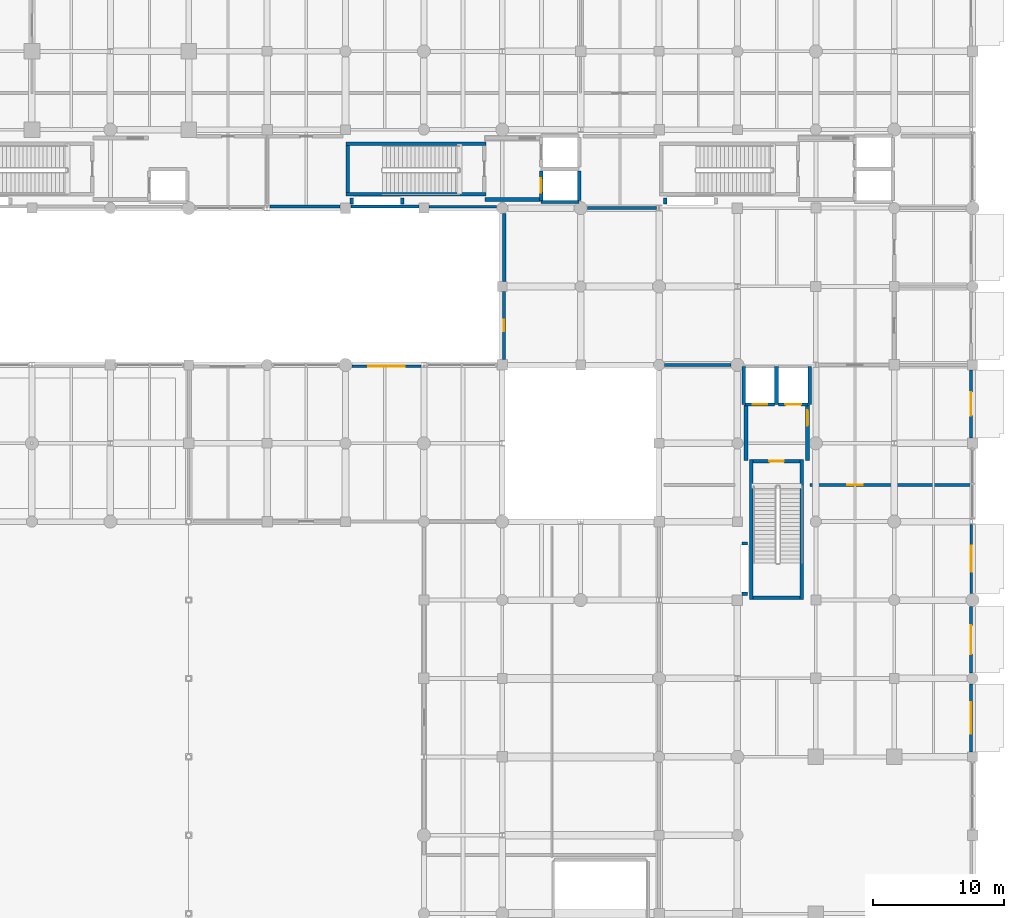
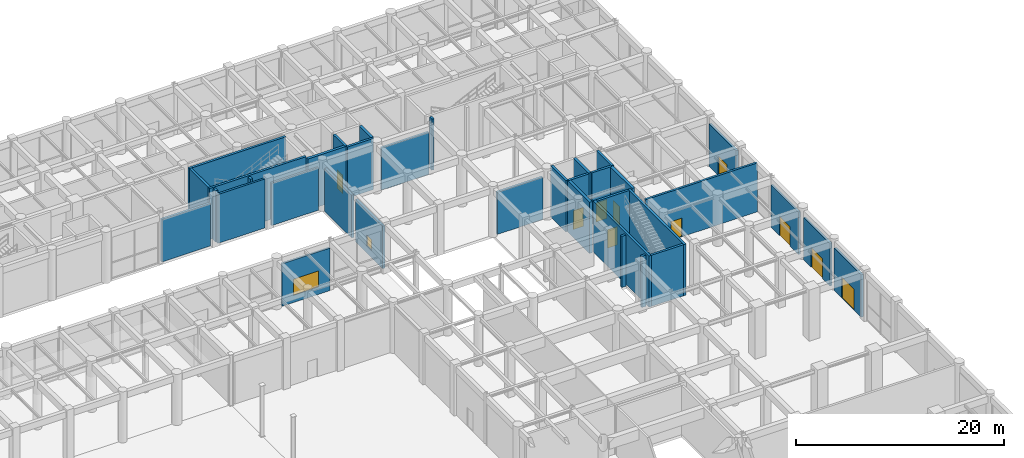
# One storey, part 89 of 106: 36 walls, 10 doors, 2 windows, 12 openings.
"""IFC4 building model written with IfcOpenShell, lengths in metres."""

from ifc_helpers import new_model, si_unit, direction, frame, frame_2d, origin, place, context, subcontext, project, spatial, rectangle, extrude, material, layer, layer_set, type_object, element, fill, save


model = new_model("IFC4")

# Units and contexts
model_context = context("Model", 3, precision=1e-05, world=origin(), true_north=direction((0.0, 1.0)))
body_context = subcontext(model_context, "Body", "Model", "MODEL_VIEW")
ifc_project = project(units=[si_unit("LENGTHUNIT", "METRE"), si_unit("AREAUNIT", "SQUARE_METRE"), si_unit("VOLUMEUNIT", "CUBIC_METRE"), si_unit("PLANEANGLEUNIT", "RADIAN"), si_unit("MASSUNIT", "GRAM", prefix="KILO"), si_unit("THERMODYNAMICTEMPERATUREUNIT", "KELVIN"), si_unit("POWERUNIT", "WATT")], contexts=[model_context])

# Site, building, storey
site_placement = place(None, origin())
site = spatial("IfcSite", under=ifc_project, at=site_placement, CompositionType="ELEMENT")
building_placement = place(site_placement, origin())
building = spatial("IfcBuilding", under=site, at=building_placement, Name="Phaisarnlok Congress Hotel", CompositionType="ELEMENT")
storey_placement = place(building_placement, origin())
storey = spatial("IfcBuildingStorey", under=building, at=storey_placement, Name="L00", CompositionType="ELEMENT", Elevation=0.0)

# Wall, opening, door
ifc_material_1 = material(Name="Concrete C40/50", Category="concrete")
ifc_layer_1 = layer(ifc_material_1, 0.2099609375, Name="Concrete C40/50")
ifc_layer_set_1 = layer_set([ifc_layer_1], Name="Concrete C40/50")
wall_type_1 = type_object("IfcWallType", Name="WL-EXT-210", PredefinedType="SOLIDWALL", material=ifc_layer_set_1)
wall_1_placement = place(storey_placement, frame((179.89501953125, 78.5048828125, 0.0), z_axis=(0.0, 0.0, 1.0), x_axis=(0.0, 1.0, 0.0)))
wall_1 = element("IfcWall", 1, at=wall_1_placement, inside=storey, type_object=wall_type_1, Name="Exterior wall EW-07 (L00)", PredefinedType="SOLIDWALL", context=body_context, shape_type="SweptSolid", body=[
    extrude(rectangle(XDim=5.29052734375, YDim=0.2099609375, at=frame_2d((2.645263671875, 0.0))), origin(), (0.0, 0.0, 1.0), 4.989990234375),
])
opening_1_placement = place(wall_1_placement, frame((1.64501953125, 0.0, 0.0)))
opening_1 = element("IfcOpeningElement", 2, at=opening_1_placement, cuts=wall_1, Name="Opening FE-26", PredefinedType="OPENING", context=body_context, shape_type="SweptSolid", body=[
    extrude(rectangle(XDim=2.0, YDim=2.300048828125, at=frame_2d((1.0, 1.14990234375))), frame((0.0, 0.114990234375, 0.0), z_axis=(0.0, -1.0, 0.0), x_axis=(1.0, 0.0, 0.0)), (0.0, 0.0, 1.0), 0.22998046875),
])
ifc_material_2 = material(Name="Powder-Coated Steel & Laminated Safety Glass", Category="steel")
door_type_1 = type_object("IfcDoorType", Name="DR-EXIT-2000", OperationType="DOUBLE_DOOR_SINGLE_SWING", PredefinedType="DOOR", material=ifc_material_2)
door_1_placement = place(opening_1_placement, frame((2.0, 0.0, 0.0), z_axis=(0.0, 0.0, 1.0), x_axis=(-1.0, 0.0, 0.0)))
door_1 = element("IfcDoor", 3, at=door_1_placement, inside=storey, type_object=door_type_1, Name="Ground final exit door FE-26", OperationType="SINGLE_SWING_LEFT", OverallHeight=2.300048828125, OverallWidth=2.0, PredefinedType="DOOR", context=body_context, shape_type="SweptSolid", body=[
    extrude(rectangle(XDim=2.0, YDim=2.300048828125, at=frame_2d((1.0, 1.14990234375))), frame((0.0, 0.02490234375, 0.0), z_axis=(0.0, -1.0, 0.0), x_axis=(1.0, 0.0, 0.0)), (0.0, 0.0, 1.0), 0.050048828125),
])
fill(opening_1, door_1)

# Wall
wall_2_placement = place(storey_placement, frame((138.3798828125, 108.10498046875, 0.0), z_axis=(0.0, 0.0, 1.0), x_axis=(1.0, 0.0, 0.0)))
element("IfcWall", 4, at=wall_2_placement, inside=storey, type_object=wall_type_1, Name="Exterior wall EW-07 (L00)", PredefinedType="SOLIDWALL", context=body_context, shape_type="SweptSolid", body=[
    extrude(rectangle(XDim=5.190185546875, YDim=0.2099609375, at=frame_2d((2.59521484375, 0.0))), origin(), (0.0, 0.0, 1.0), 4.989990234375),
])

# Wall, opening, window
wall_3_placement = place(storey_placement, frame((137.79443359375, 95.89501953125, 0.0), z_axis=(0.0, 0.0, 1.0), x_axis=(-1.0, 0.0, 0.0)))
wall_3 = element("IfcWall", 5, at=wall_3_placement, inside=storey, type_object=wall_type_1, Name="Exterior wall EW-07 (L00)", PredefinedType="SOLIDWALL", context=body_context, shape_type="SweptSolid", body=[
    extrude(rectangle(XDim=5.28955078125, YDim=0.2099609375, at=frame_2d((2.644775390625, 0.0))), origin(), (0.0, 0.0, 1.0), 4.989990234375),
])
opening_2_placement = place(wall_3_placement, frame((1.2451171875, 0.0, 0.85009765625)))
opening_2 = element("IfcOpeningElement", 6, at=opening_2_placement, cuts=wall_3, Name="Opening W-06", PredefinedType="OPENING", context=body_context, shape_type="SweptSolid", body=[
    extrude(rectangle(XDim=2.800048828125, YDim=1.89990234375, at=frame_2d((1.39990234375, 0.949951171875))), frame((0.0, 0.114990234375, 0.0), z_axis=(0.0, -1.0, 0.0), x_axis=(1.0, 0.0, 0.0)), (0.0, 0.0, 1.0), 0.22998046875),
])
ifc_material_3 = material(Name="Thermally Broken Aluminium & Low-E Double Glazing", Category="aluminium")
window_type_1 = type_object("IfcWindowType", Name="WIN-POD-2800", PartitioningType="SINGLE_PANEL", PredefinedType="WINDOW", material=ifc_material_3)
window_1_placement = place(opening_2_placement, origin())
window_1 = element("IfcWindow", 7, at=window_1_placement, inside=storey, type_object=window_type_1, Name="Podium window W-06 (L00)", OverallHeight=1.89990234375, OverallWidth=2.800048828125, PartitioningType="SINGLE_PANEL", PredefinedType="WINDOW", context=body_context, shape_type="SweptSolid", body=[
    extrude(rectangle(XDim=2.800048828125, YDim=1.89990234375, at=frame_2d((1.39990234375, 0.949951171875))), frame((0.0, 0.030029296875, 0.0), z_axis=(0.0, -1.0, 0.0), x_axis=(1.0, 0.0, 0.0)), (0.0, 0.0, 1.0), 0.06005859375),
])
fill(opening_2, window_1)

# Wall, opening, door
ifc_layer_2 = layer(ifc_material_1, 0.22998046875, Name="Concrete C40/50")
ifc_layer_set_2 = layer_set([ifc_layer_2], Name="Concrete C40/50")
wall_type_2 = type_object("IfcWallType", Name="WL-EXT-230", PredefinedType="SOLIDWALL", material=ifc_layer_set_2)
wall_4_placement = place(storey_placement, frame((179.885009765625, 72.429931640625, 0.0), z_axis=(0.0, 0.0, 1.0), x_axis=(0.0, 1.0, 0.0)))
wall_4 = element("IfcWall", 8, at=wall_4_placement, inside=storey, type_object=wall_type_2, Name="Exterior wall EW-06 (L00)", PredefinedType="SOLIDWALL", context=body_context, shape_type="SweptSolid", body=[
    extrude(rectangle(XDim=5.065185546875, YDim=0.22998046875, at=frame_2d((2.53271484375, 0.0))), origin(), (0.0, 0.0, 1.0), 4.989990234375),
])
opening_3_placement = place(wall_4_placement, frame((1.431884765625, 0.0, 0.0)))
opening_3 = element("IfcOpeningElement", 9, at=opening_3_placement, cuts=wall_4, Name="Opening FE-25", PredefinedType="OPENING", context=body_context, shape_type="SweptSolid", body=[
    extrude(rectangle(XDim=2.199951171875, YDim=2.35009765625, at=frame_2d((1.10009765625, 1.175048828125))), frame((0.0, 0.125, 0.0), z_axis=(0.0, -1.0, 0.0), x_axis=(1.0, 0.0, 0.0)), (0.0, 0.0, 1.0), 0.25),
])
door_type_2 = type_object("IfcDoorType", Name="DR-EXIT-2200", OperationType="DOUBLE_DOOR_SINGLE_SWING", PredefinedType="DOOR", material=ifc_material_2)
door_2_placement = place(opening_3_placement, frame((2.199951171875, 0.0, 0.0), z_axis=(0.0, 0.0, 1.0), x_axis=(-1.0, 0.0, 0.0)))
door_2 = element("IfcDoor", 10, at=door_2_placement, inside=storey, type_object=door_type_2, Name="Ground final exit door FE-25", OperationType="SINGLE_SWING_LEFT", OverallHeight=2.35009765625, OverallWidth=2.199951171875, PredefinedType="DOOR", context=body_context, shape_type="SweptSolid", body=[
    extrude(rectangle(XDim=2.199951171875, YDim=2.35009765625, at=frame_2d((1.10009765625, 1.175048828125))), frame((0.0, 0.02490234375, 0.0), z_axis=(0.0, -1.0, 0.0), x_axis=(1.0, 0.0, 0.0)), (0.0, 0.0, 1.0), 0.050048828125),
])
fill(opening_3, door_2)

# Wall
wall_5_placement = place(storey_placement, frame((132.405029296875, 108.114990234375, 0.0), z_axis=(0.0, 0.0, 1.0), x_axis=(1.0, 0.0, 0.0)))
element("IfcWall", 11, at=wall_5_placement, inside=storey, type_object=wall_type_2, Name="Exterior wall EW-06 (L00)", PredefinedType="SOLIDWALL", context=body_context, shape_type="SweptSolid", body=[
    extrude(rectangle(XDim=5.215087890625, YDim=0.22998046875, at=frame_2d((2.607421875, 0.0))), origin(), (0.0, 0.0, 1.0), 5.739990234375),
])

# Wall, opening, door
ifc_layer_3 = layer(ifc_material_1, 0.25, Name="Concrete C40/50")
ifc_layer_set_3 = layer_set([ifc_layer_3], Name="Concrete C40/50")
wall_type_3 = type_object("IfcWallType", Name="WL-EXT-250", PredefinedType="SOLIDWALL", material=ifc_layer_set_3)
wall_6_placement = place(storey_placement, frame((179.875, 66.3798828125, 0.0), z_axis=(0.0, 0.0, 1.0), x_axis=(0.0, 1.0, 0.0)))
wall_6 = element("IfcWall", 12, at=wall_6_placement, inside=storey, type_object=wall_type_3, Name="Exterior wall EW-05 (L00)", PredefinedType="SOLIDWALL", context=body_context, shape_type="SweptSolid", body=[
    extrude(rectangle(XDim=5.190185546875, YDim=0.25, at=frame_2d((2.59521484375, 0.0))), origin(), (0.0, 0.0, 1.0), 4.989990234375),
])
opening_4_placement = place(wall_6_placement, frame((1.39501953125, 0.0, 0.0)))
opening_4 = element("IfcOpeningElement", 13, at=opening_4_placement, cuts=wall_6, Name="Opening FE-24", PredefinedType="OPENING", context=body_context, shape_type="SweptSolid", body=[
    extrude(rectangle(XDim=2.39990234375, YDim=2.449951171875, at=frame_2d((1.199951171875, 1.22509765625))), frame((0.0, 0.135009765625, 0.0), z_axis=(0.0, -1.0, 0.0), x_axis=(1.0, 0.0, 0.0)), (0.0, 0.0, 1.0), 0.27001953125),
])
door_type_3 = type_object("IfcDoorType", Name="DR-ENTR-2400", OperationType="DOUBLE_DOOR_SLIDING", PredefinedType="DOOR", material=ifc_material_2)
door_3_placement = place(opening_4_placement, frame((2.39990234375, 0.0, 0.0), z_axis=(0.0, 0.0, 1.0), x_axis=(-1.0, 0.0, 0.0)))
door_3 = element("IfcDoor", 14, at=door_3_placement, inside=storey, type_object=door_type_3, Name="Ground final exit door FE-24", OperationType="SINGLE_SWING_LEFT", OverallHeight=2.449951171875, OverallWidth=2.39990234375, PredefinedType="DOOR", context=body_context, shape_type="SweptSolid", body=[
    extrude(rectangle(XDim=2.39990234375, YDim=2.449951171875, at=frame_2d((1.199951171875, 1.22509765625))), frame((0.0, 0.02490234375, 0.0), z_axis=(0.0, -1.0, 0.0), x_axis=(1.0, 0.0, 0.0)), (0.0, 0.0, 1.0), 0.050048828125),
])
fill(opening_4, door_3)

wall_7_placement = place(storey_placement, frame((179.875, 90.405029296875, 0.0), z_axis=(0.0, 0.0, 1.0), x_axis=(0.0, 1.0, 0.0)))
wall_7 = element("IfcWall", 15, at=wall_7_placement, inside=storey, type_object=wall_type_3, Name="Exterior wall EW-05 (L00)", PredefinedType="SOLIDWALL", context=body_context, shape_type="SweptSolid", body=[
    extrude(rectangle(XDim=5.215087890625, YDim=0.25, at=frame_2d((2.607421875, 0.0))), origin(), (0.0, 0.0, 1.0), 4.989990234375),
])
opening_5_placement = place(wall_7_placement, frame((1.7080078125, 0.0, 0.0)))
opening_5 = element("IfcOpeningElement", 16, at=opening_5_placement, cuts=wall_7, Name="Opening FE-27", PredefinedType="OPENING", context=body_context, shape_type="SweptSolid", body=[
    extrude(rectangle(XDim=1.800048828125, YDim=2.25, at=frame_2d((0.89990234375, 1.125))), frame((0.0, 0.135009765625, 0.0), z_axis=(0.0, -1.0, 0.0), x_axis=(1.0, 0.0, 0.0)), (0.0, 0.0, 1.0), 0.27001953125),
])
door_type_4 = type_object("IfcDoorType", Name="DR-EXIT-1800", OperationType="DOUBLE_DOOR_SINGLE_SWING", PredefinedType="DOOR", material=ifc_material_2)
door_4_placement = place(opening_5_placement, frame((1.800048828125, 0.0, 0.0), z_axis=(0.0, 0.0, 1.0), x_axis=(-1.0, 0.0, 0.0)))
door_4 = element("IfcDoor", 17, at=door_4_placement, inside=storey, type_object=door_type_4, Name="Ground final exit door FE-27", OperationType="SINGLE_SWING_LEFT", OverallHeight=2.25, OverallWidth=1.800048828125, PredefinedType="DOOR", context=body_context, shape_type="SweptSolid", body=[
    extrude(rectangle(XDim=1.800048828125, YDim=2.25, at=frame_2d((0.89990234375, 1.125))), frame((0.0, 0.02490234375, 0.0), z_axis=(0.0, -1.0, 0.0), x_axis=(1.0, 0.0, 0.0)), (0.0, 0.0, 1.0), 0.050048828125),
])
fill(opening_5, door_4)

# Wall
wall_8_placement = place(storey_placement, frame((126.20556640625, 108.125, 0.0), z_axis=(0.0, 0.0, 1.0), x_axis=(1.0, 0.0, 0.0)))
element("IfcWall", 18, at=wall_8_placement, inside=storey, type_object=wall_type_3, Name="Exterior wall EW-05 (L00)", PredefinedType="SOLIDWALL", context=body_context, shape_type="SweptSolid", body=[
    extrude(rectangle(XDim=5.389404296875, YDim=0.25, at=frame_2d((2.69482421875, 0.0))), origin(), (0.0, 0.0, 1.0), 4.989990234375),
])

# Wall, opening, window
wall_9_placement = place(storey_placement, frame((144.125, 101.6201171875, 0.0), z_axis=(0.0, 0.0, 1.0), x_axis=(0.0, -1.0, 0.0)))
wall_9 = element("IfcWall", 19, at=wall_9_placement, inside=storey, type_object=wall_type_3, Name="Exterior wall EW-05 (L00)", PredefinedType="SOLIDWALL", context=body_context, shape_type="SweptSolid", body=[
    extrude(rectangle(XDim=5.215087890625, YDim=0.25, at=frame_2d((2.607421875, 0.0))), origin(), (0.0, 0.0, 1.0), 5.010009765625),
])
opening_6_placement = place(wall_9_placement, frame((2.157958984375, 0.0, 0.85009765625)))
opening_6 = element("IfcOpeningElement", 20, at=opening_6_placement, cuts=wall_9, Name="Opening W-16", PredefinedType="OPENING", context=body_context, shape_type="SweptSolid", body=[
    extrude(rectangle(XDim=0.89990234375, YDim=1.300048828125, at=frame_2d((0.449951171875, 0.64990234375))), frame((0.0, 0.135009765625, 0.0), z_axis=(0.0, -1.0, 0.0), x_axis=(1.0, 0.0, 0.0)), (0.0, 0.0, 1.0), 0.27001953125),
])
window_type_2 = type_object("IfcWindowType", Name="WIN-POD-0900", PartitioningType="SINGLE_PANEL", PredefinedType="WINDOW", material=ifc_material_3)
window_2_placement = place(opening_6_placement, origin())
window_2 = element("IfcWindow", 21, at=window_2_placement, inside=storey, type_object=window_type_2, Name="Podium window W-16 (L00)", OverallHeight=1.300048828125, OverallWidth=0.89990234375, PartitioningType="SINGLE_PANEL", PredefinedType="WINDOW", context=body_context, shape_type="SweptSolid", body=[
    extrude(rectangle(XDim=0.89990234375, YDim=1.300048828125, at=frame_2d((0.449951171875, 0.64990234375))), frame((0.0, 0.030029296875, 0.0), z_axis=(0.0, -1.0, 0.0), x_axis=(1.0, 0.0, 0.0)), (0.0, 0.0, 1.0), 0.06005859375),
])
fill(opening_6, window_2)

# Wall
ifc_layer_4 = layer(ifc_material_1, 0.27001953125, Name="Concrete C40/50")
ifc_layer_set_4 = layer_set([ifc_layer_4], Name="Concrete C40/50")
wall_type_4 = type_object("IfcWallType", Name="WL-EXT-270", PredefinedType="SOLIDWALL", material=ifc_layer_set_4)
wall_10_placement = place(storey_placement, frame((144.135009765625, 107.570068359375, 0.0), z_axis=(0.0, 0.0, 1.0), x_axis=(0.0, -1.0, 0.0)))
element("IfcWall", 22, at=wall_10_placement, inside=storey, type_object=wall_type_4, Name="Exterior wall EW-04 (L00)", PredefinedType="SOLIDWALL", context=body_context, shape_type="SweptSolid", body=[
    extrude(rectangle(XDim=5.190185546875, YDim=0.27001953125, at=frame_2d((2.59521484375, 0.0))), origin(), (0.0, 0.0, 1.0), 5.010009765625),
])

# Wall, opening, door
ifc_layer_5 = layer(ifc_material_1, 0.239990234375, Name="Concrete C40/50")
ifc_layer_set_5 = layer_set([ifc_layer_5], Name="Concrete C40/50")
wall_type_5 = type_object("IfcWallType", Name="WL-INT-240", PredefinedType="PARTITIONING", material=ifc_layer_set_5)
wall_11_placement = place(storey_placement, frame((167.56005859375, 86.800048828125, 0.0), z_axis=(0.0, 0.0, 1.0), x_axis=(1.0, 0.0, 0.0)))
wall_11 = element("IfcWall", 23, at=wall_11_placement, inside=storey, type_object=wall_type_5, Name="Interior partition wall IW-01 (L00)", PredefinedType="PARTITIONING", context=body_context, shape_type="SweptSolid", body=[
    extrude(rectangle(XDim=12.39501953125, YDim=0.239990234375, at=frame_2d((6.197509765625, 0.0))), origin(), (0.0, 0.0, 1.0), 5.739990234375),
])
opening_7_placement = place(wall_11_placement, frame((2.840087890625, 0.0, 0.0)))
opening_7 = element("IfcOpeningElement", 24, at=opening_7_placement, cuts=wall_11, Name="Opening D-0043", PredefinedType="OPENING", context=body_context, shape_type="SweptSolid", body=[
    extrude(rectangle(XDim=1.199951171875, YDim=2.199951171875, at=frame_2d((0.60009765625, 1.10009765625))), frame((0.0, 0.1298828125, 0.0), z_axis=(0.0, -1.0, 0.0), x_axis=(1.0, 0.0, 0.0)), (0.0, 0.0, 1.0), 0.260009765625),
])
ifc_material_4 = material(Name="Fire-Rated Steel Frame & Timber Leaf", Category="steel")
door_type_5 = type_object("IfcDoorType", Name="DR-FD60-1200", OperationType="NOTDEFINED", PredefinedType="DOOR", material=ifc_material_4)
door_5_placement = place(opening_7_placement, origin())
door_5 = element("IfcDoor", 25, at=door_5_placement, inside=storey, type_object=door_type_5, Name="Interior door D-0043 (L00)", OperationType="SINGLE_SWING_LEFT", OverallHeight=2.199951171875, OverallWidth=1.199951171875, PredefinedType="DOOR", context=body_context, shape_type="SweptSolid", body=[
    extrude(rectangle(XDim=1.199951171875, YDim=2.199951171875, at=frame_2d((0.60009765625, 1.10009765625))), frame((0.0, 0.02490234375, 0.0), z_axis=(0.0, -1.0, 0.0), x_axis=(1.0, 0.0, 0.0)), (0.0, 0.0, 1.0), 0.050048828125),
])
fill(opening_7, door_5)

# Walls
wall_12_placement = place(storey_placement, frame((156.429931640625, 96.0, 0.0), z_axis=(0.0, 0.0, 1.0), x_axis=(1.0, 0.0, 0.0)))
element("IfcWall", 26, at=wall_12_placement, inside=storey, type_object=wall_type_5, Name="Interior partition wall IW-01 (L00)", PredefinedType="PARTITIONING", context=body_context, shape_type="SweptSolid", body=[
    extrude(rectangle(XDim=5.065185546875, YDim=0.239990234375, at=frame_2d((2.53271484375, 0.0))), origin(), (0.0, 0.0, 1.0), 4.9599609375),
])
wall_13_placement = place(storey_placement, frame((150.5048828125, 108.0, 0.0), z_axis=(0.0, 0.0, 1.0), x_axis=(1.0, 0.0, 0.0)))
element("IfcWall", 27, at=wall_13_placement, inside=storey, type_object=wall_type_5, Name="Interior partition wall IW-01 (L00)", PredefinedType="PARTITIONING", context=body_context, shape_type="SweptSolid", body=[
    extrude(rectangle(XDim=5.28955078125, YDim=0.239990234375, at=frame_2d((2.644775390625, 0.0))), origin(), (0.0, 0.0, 1.0), 4.93994140625),
])
ifc_material_5 = material(Name="Concrete C50/60", Category="concrete")
ifc_layer_6 = layer(ifc_material_5, 0.260009765625, Name="Concrete C50/60")
ifc_layer_set_6 = layer_set([ifc_layer_6], Name="Concrete C50/60")
wall_type_6 = type_object("IfcWallType", Name="WL-SHR-260", PredefinedType="SHEAR", material=ifc_layer_set_6)
wall_14_placement = place(storey_placement, frame((156.469970703125, 108.330078125, 0.0), z_axis=(0.0, 0.0, 1.0), x_axis=(0.0, 1.0, 0.0)))
element("IfcWall", 28, at=wall_14_placement, inside=storey, type_object=wall_type_6, Name="Service riser shaft wall SW-04 (CORE-1 L00)", PredefinedType="SHEAR", context=body_context, shape_type="SweptSolid", body=[
    extrude(rectangle(XDim=0.43994140625, YDim=0.260009765625, at=frame_2d((0.219970703125, 0.0))), origin(), (0.0, 0.0, 1.0), 6.0),
])
for number, where, z_axis, x_axis, name in (
    (29, (132.0400390625, 109.070068359375, 0.0), (0.0, 0.0, 1.0), (1.0, 0.0, 0.0), "Stair shaft shear wall SW-04 (CORE-2 L00)"),
    (30, (132.0400390625, 112.929931640625, 0.0), (0.0, 0.0, 1.0), (1.0, 0.0, 0.0), "Stair shaft shear wall SW-04 (CORE-2 L00)"),
):
    element("IfcWall", number, at=place(storey_placement, frame(where, z_axis=z_axis, x_axis=x_axis)), inside=storey, type_object=wall_type_6, Name=name, PredefinedType="SHEAR", context=body_context, shape_type="SweptSolid", body=[
        extrude(rectangle(XDim=10.719970703125, YDim=0.260009765625, at=frame_2d((5.35986328125, 0.0))), origin(), (0.0, 0.0, 1.0), 6.0),
    ])
wall_15_placement = place(storey_placement, frame((132.169921875, 109.199951171875, 0.0), z_axis=(0.0, 0.0, 1.0), x_axis=(0.0, 1.0, 0.0)))
element("IfcWall", 31, at=wall_15_placement, inside=storey, type_object=wall_type_6, Name="Stair shaft shear wall SW-04 (CORE-2 L00)", PredefinedType="SHEAR", context=body_context, shape_type="SweptSolid", body=[
    extrude(rectangle(XDim=3.60009765625, YDim=0.260009765625, at=frame_2d((1.800048828125, 0.0))), origin(), (0.0, 0.0, 1.0), 6.0),
])
wall_16_placement = place(storey_placement, frame((146.969970703125, 108.469970703125, 0.0), z_axis=(0.0, 0.0, 1.0), x_axis=(1.0, 0.0, 0.0)))
element("IfcWall", 32, at=wall_16_placement, inside=storey, type_object=wall_type_6, Name="Lift shaft shear wall SW-04 (LF-FF2 L00)", PredefinedType="SHEAR", context=body_context, shape_type="SweptSolid", body=[
    extrude(rectangle(XDim=2.909912109375, YDim=0.260009765625, at=frame_2d((1.455078125, 0.0))), origin(), (0.0, 0.0, 1.0), 6.0),
])
wall_17_placement = place(storey_placement, frame((149.8798828125, 108.60009765625, 0.0), z_axis=(0.0, 0.0, 1.0), x_axis=(0.0, 1.0, 0.0)))
element("IfcWall", 33, at=wall_17_placement, inside=storey, type_object=wall_type_6, Name="Lift shaft shear wall SW-04 (LF-FF2 L00)", PredefinedType="SHEAR", context=body_context, shape_type="SweptSolid", body=[
    extrude(rectangle(XDim=2.25, YDim=0.260009765625, at=frame_2d((1.125, 0.0))), origin(), (0.0, 0.0, 1.0), 6.0),
])

# Wall, opening, door
wall_18_placement = place(storey_placement, frame((146.969970703125, 108.60009765625, 0.0), z_axis=(0.0, 0.0, 1.0), x_axis=(0.0, 1.0, 0.0)))
wall_18 = element("IfcWall", 34, at=wall_18_placement, inside=storey, type_object=wall_type_6, Name="Lift shaft front wall SW-04 (LF-FF2 L00)", PredefinedType="SHEAR", context=body_context, shape_type="SweptSolid", body=[
    extrude(rectangle(XDim=2.25, YDim=0.260009765625, at=frame_2d((1.125, 0.0))), origin(), (0.0, 0.0, 1.0), 6.0),
])
opening_8_placement = place(wall_18_placement, frame((0.574951171875, 0.0, 0.0)))
opening_8 = element("IfcOpeningElement", 35, at=opening_8_placement, cuts=wall_18, Name="Opening LD-032", PredefinedType="OPENING", context=body_context, shape_type="SweptSolid", body=[
    extrude(rectangle(XDim=1.10009765625, YDim=2.199951171875, at=frame_2d((0.550048828125, 1.10009765625))), frame((0.0, 0.14013671875, 0.0), z_axis=(0.0, -1.0, 0.0), x_axis=(1.0, 0.0, 0.0)), (0.0, 0.0, 1.0), 0.280029296875),
])
ifc_material_6 = material(Name="Brushed Stainless Steel Grade 304", Category="steel")
door_type_6 = type_object("IfcDoorType", Name="DR-LD-1100", OperationType="DOUBLE_DOOR_SLIDING", PredefinedType="DOOR", material=ifc_material_6)
door_6_placement = place(opening_8_placement, origin())
door_6 = element("IfcDoor", 36, at=door_6_placement, inside=storey, type_object=door_type_6, Name="Lift landing sliding door LD-032 (LF-FF2 L00)", OperationType="DOUBLE_DOOR_SLIDING", OverallHeight=2.199951171875, OverallWidth=1.10009765625, PredefinedType="DOOR", context=body_context, shape_type="SweptSolid", body=[
    extrude(rectangle(XDim=1.10009765625, YDim=2.199951171875, at=frame_2d((0.550048828125, 1.10009765625))), frame((0.0, 0.02490234375, 0.0), z_axis=(0.0, -1.0, 0.0), x_axis=(1.0, 0.0, 0.0)), (0.0, 0.0, 1.0), 0.050048828125),
])
fill(opening_8, door_6)

# Walls
for number, where, z_axis, x_axis, name in (
    (37, (132.469970703125, 108.330078125, 0.0), (0.0, 0.0, 1.0), (0.0, 1.0, 0.0), "Service riser shaft wall SW-04 (CORE-2 L00)"),
    (38, (136.330078125, 108.330078125, 0.0), (0.0, 0.0, 1.0), (0.0, 1.0, 0.0), "Service riser shaft wall SW-04 (CORE-2 L00)"),
):
    element("IfcWall", number, at=place(storey_placement, frame(where, z_axis=z_axis, x_axis=x_axis)), inside=storey, type_object=wall_type_6, Name=name, PredefinedType="SHEAR", context=body_context, shape_type="SweptSolid", body=[
        extrude(rectangle(XDim=0.43994140625, YDim=0.260009765625, at=frame_2d((0.219970703125, 0.0))), origin(), (0.0, 0.0, 1.0), 6.0),
    ])
for number, where, z_axis, x_axis, name in (
    (39, (163.070068359375, 78.0400390625, 0.0), (0.0, 0.0, 1.0), (0.0, 1.0, 0.0), "Stair shaft shear wall SW-04 (CORE-3 L00)"),
    (40, (166.929931640625, 78.0400390625, 0.0), (0.0, 0.0, 1.0), (0.0, 1.0, 0.0), "Stair shaft shear wall SW-04 (CORE-3 L00)"),
):
    element("IfcWall", number, at=place(storey_placement, frame(where, z_axis=z_axis, x_axis=x_axis)), inside=storey, type_object=wall_type_6, Name=name, PredefinedType="SHEAR", context=body_context, shape_type="SweptSolid", body=[
        extrude(rectangle(XDim=10.719970703125, YDim=0.260009765625, at=frame_2d((5.35986328125, 0.0))), origin(), (0.0, 0.0, 1.0), 6.0),
    ])
wall_19_placement = place(storey_placement, frame((163.199951171875, 78.169921875, 0.0), z_axis=(0.0, 0.0, 1.0), x_axis=(1.0, 0.0, 0.0)))
element("IfcWall", 41, at=wall_19_placement, inside=storey, type_object=wall_type_6, Name="Stair shaft shear wall SW-04 (CORE-3 L00)", PredefinedType="SHEAR", context=body_context, shape_type="SweptSolid", body=[
    extrude(rectangle(XDim=3.60009765625, YDim=0.260009765625, at=frame_2d((1.800048828125, 0.0))), origin(), (0.0, 0.0, 1.0), 6.0),
])

# Wall, opening, door
wall_20_placement = place(storey_placement, frame((163.199951171875, 88.6298828125, 0.0), z_axis=(0.0, 0.0, 1.0), x_axis=(1.0, 0.0, 0.0)))
wall_20 = element("IfcWall", 42, at=wall_20_placement, inside=storey, type_object=wall_type_6, Name="Stair shaft shear wall SW-04 (CORE-3 L00)", PredefinedType="SHEAR", context=body_context, shape_type="SweptSolid", body=[
    extrude(rectangle(XDim=3.60009765625, YDim=0.260009765625, at=frame_2d((1.800048828125, 0.0))), origin(), (0.0, 0.0, 1.0), 6.0),
])
opening_9_placement = place(wall_20_placement, frame((1.25, 0.0, 0.0)))
opening_9 = element("IfcOpeningElement", 43, at=opening_9_placement, cuts=wall_20, Name="Opening FD-062", PredefinedType="OPENING", context=body_context, shape_type="SweptSolid", body=[
    extrude(rectangle(XDim=1.10009765625, YDim=2.14990234375, at=frame_2d((0.550048828125, 1.074951171875))), frame((0.0, 0.14013671875, 0.0), z_axis=(0.0, -1.0, 0.0), x_axis=(1.0, 0.0, 0.0)), (0.0, 0.0, 1.0), 0.280029296875),
])
door_type_7 = type_object("IfcDoorType", Name="DR-FD60-1100", OperationType="NOTDEFINED", PredefinedType="DOOR", material=ifc_material_4)
door_7_placement = place(opening_9_placement, origin())
door_7 = element("IfcDoor", 44, at=door_7_placement, inside=storey, type_object=door_type_7, Name="Stair enclosure fire door FD-062 (L00)", OperationType="SINGLE_SWING_LEFT", OverallHeight=2.14990234375, OverallWidth=1.10009765625, PredefinedType="DOOR", context=body_context, shape_type="SweptSolid", body=[
    extrude(rectangle(XDim=1.10009765625, YDim=2.14990234375, at=frame_2d((0.550048828125, 1.074951171875))), frame((0.0, 0.02490234375, 0.0), z_axis=(0.0, -1.0, 0.0), x_axis=(1.0, 0.0, 0.0)), (0.0, 0.0, 1.0), 0.050048828125),
])
fill(opening_9, door_7)

# Wall
wall_21_placement = place(storey_placement, frame((162.469970703125, 92.969970703125, 0.0), z_axis=(0.0, 0.0, 1.0), x_axis=(0.0, 1.0, 0.0)))
element("IfcWall", 45, at=wall_21_placement, inside=storey, type_object=wall_type_6, Name="Lift shaft shear wall SW-04 (LF-HP3 L00)", PredefinedType="SHEAR", context=body_context, shape_type="SweptSolid", body=[
    extrude(rectangle(XDim=2.909912109375, YDim=0.260009765625, at=frame_2d((1.455078125, 0.0))), origin(), (0.0, 0.0, 1.0), 6.0),
])

# Wall, opening, door
wall_22_placement = place(storey_placement, frame((162.60009765625, 92.969970703125, 0.0), z_axis=(0.0, 0.0, 1.0), x_axis=(1.0, 0.0, 0.0)))
wall_22 = element("IfcWall", 46, at=wall_22_placement, inside=storey, type_object=wall_type_6, Name="Lift shaft front wall SW-04 (LF-HP3 L00)", PredefinedType="SHEAR", context=body_context, shape_type="SweptSolid", body=[
    extrude(rectangle(XDim=2.25, YDim=0.260009765625, at=frame_2d((1.125, 0.0))), origin(), (0.0, 0.0, 1.0), 6.0),
])
opening_10_placement = place(wall_22_placement, frame((0.574951171875, 0.0, 0.0)))
opening_10 = element("IfcOpeningElement", 47, at=opening_10_placement, cuts=wall_22, Name="Opening LD-062", PredefinedType="OPENING", context=body_context, shape_type="SweptSolid", body=[
    extrude(rectangle(XDim=1.10009765625, YDim=2.199951171875, at=frame_2d((0.550048828125, 1.10009765625))), frame((0.0, 0.14013671875, 0.0), z_axis=(0.0, -1.0, 0.0), x_axis=(1.0, 0.0, 0.0)), (0.0, 0.0, 1.0), 0.280029296875),
])
door_8_placement = place(opening_10_placement, origin())
door_8 = element("IfcDoor", 48, at=door_8_placement, inside=storey, type_object=door_type_6, Name="Lift landing sliding door LD-062 (LF-HP3 L00)", OperationType="DOUBLE_DOOR_SLIDING", OverallHeight=2.199951171875, OverallWidth=1.10009765625, PredefinedType="DOOR", context=body_context, shape_type="SweptSolid", body=[
    extrude(rectangle(XDim=1.10009765625, YDim=2.199951171875, at=frame_2d((0.550048828125, 1.10009765625))), frame((0.0, 0.02490234375, 0.0), z_axis=(0.0, -1.0, 0.0), x_axis=(1.0, 0.0, 0.0)), (0.0, 0.0, 1.0), 0.050048828125),
])
fill(opening_10, door_8)

# Wall
wall_23_placement = place(storey_placement, frame((167.530029296875, 92.969970703125, 0.0), z_axis=(0.0, 0.0, 1.0), x_axis=(0.0, 1.0, 0.0)))
element("IfcWall", 49, at=wall_23_placement, inside=storey, type_object=wall_type_6, Name="Lift shaft shear wall SW-04 (LF-SV1 L00)", PredefinedType="SHEAR", context=body_context, shape_type="SweptSolid", body=[
    extrude(rectangle(XDim=2.909912109375, YDim=0.260009765625, at=frame_2d((1.455078125, 0.0))), origin(), (0.0, 0.0, 1.0), 6.0),
])

# Wall, opening, door
wall_24_placement = place(storey_placement, frame((165.14990234375, 92.969970703125, 0.0), z_axis=(0.0, 0.0, 1.0), x_axis=(1.0, 0.0, 0.0)))
wall_24 = element("IfcWall", 50, at=wall_24_placement, inside=storey, type_object=wall_type_6, Name="Lift shaft front wall SW-04 (LF-SV1 L00)", PredefinedType="SHEAR", context=body_context, shape_type="SweptSolid", body=[
    extrude(rectangle(XDim=2.25, YDim=0.260009765625, at=frame_2d((1.125, 0.0))), origin(), (0.0, 0.0, 1.0), 6.0),
])
opening_11_placement = place(wall_24_placement, frame((0.52490234375, 0.0, 0.0)))
opening_11 = element("IfcOpeningElement", 51, at=opening_11_placement, cuts=wall_24, Name="Opening LD-077", PredefinedType="OPENING", context=body_context, shape_type="SweptSolid", body=[
    extrude(rectangle(XDim=1.199951171875, YDim=2.25, at=frame_2d((0.60009765625, 1.125))), frame((0.0, 0.14013671875, 0.0), z_axis=(0.0, -1.0, 0.0), x_axis=(1.0, 0.0, 0.0)), (0.0, 0.0, 1.0), 0.280029296875),
])
door_type_8 = type_object("IfcDoorType", Name="DR-LD-1200", OperationType="DOUBLE_DOOR_SLIDING", PredefinedType="DOOR", material=ifc_material_6)
door_9_placement = place(opening_11_placement, origin())
door_9 = element("IfcDoor", 52, at=door_9_placement, inside=storey, type_object=door_type_8, Name="Lift landing sliding door LD-077 (LF-SV1 L00)", OperationType="DOUBLE_DOOR_SLIDING", OverallHeight=2.25, OverallWidth=1.199951171875, PredefinedType="DOOR", context=body_context, shape_type="SweptSolid", body=[
    extrude(rectangle(XDim=1.199951171875, YDim=2.25, at=frame_2d((0.60009765625, 1.125))), frame((0.0, 0.02490234375, 0.0), z_axis=(0.0, -1.0, 0.0), x_axis=(1.0, 0.0, 0.0)), (0.0, 0.0, 1.0), 0.050048828125),
])
fill(opening_11, door_9)

# Walls
for number, where, z_axis, x_axis, name in (
    (53, (162.330078125, 78.469970703125, 0.0), (0.0, 0.0, 1.0), (1.0, 0.0, 0.0), "Service riser shaft wall SW-04 (CORE-3 L00)"),
    (54, (162.330078125, 82.330078125, 0.0), (0.0, 0.0, 1.0), (1.0, 0.0, 0.0), "Service riser shaft wall SW-04 (CORE-3 L00)"),
):
    element("IfcWall", number, at=place(storey_placement, frame(where, z_axis=z_axis, x_axis=x_axis)), inside=storey, type_object=wall_type_6, Name=name, PredefinedType="SHEAR", context=body_context, shape_type="SweptSolid", body=[
        extrude(rectangle(XDim=0.43994140625, YDim=0.260009765625, at=frame_2d((0.219970703125, 0.0))), origin(), (0.0, 0.0, 1.0), 6.0),
    ])
ifc_layer_7 = layer(ifc_material_5, 0.300048828125, Name="Concrete C50/60")
ifc_layer_set_7 = layer_set([ifc_layer_7], Name="Concrete C50/60")
wall_type_7 = type_object("IfcWallType", Name="WL-SHR-300", PredefinedType="SHEAR", material=ifc_layer_set_7)
wall_25_placement = place(storey_placement, frame((142.679931640625, 108.64990234375, 0.0), z_axis=(0.0, 0.0, 1.0), x_axis=(1.0, 0.0, 0.0)))
element("IfcWall", 55, at=wall_25_placement, inside=storey, type_object=wall_type_7, Name="Core lobby EI-120 wall SW-03 (CORE-2 L00)", PredefinedType="SHEAR", context=body_context, shape_type="SweptSolid", body=[
    extrude(rectangle(XDim=4.239990234375, YDim=0.300048828125, at=frame_2d((2.1201171875, 0.0))), origin(), (0.0, 0.0, 1.0), 6.0),
])
wall_26_placement = place(storey_placement, frame((165.0, 92.969970703125, 0.0), z_axis=(0.0, 0.0, 1.0), x_axis=(0.0, 1.0, 0.0)))
element("IfcWall", 56, at=wall_26_placement, inside=storey, type_object=wall_type_7, Name="Lift shaft divider shear wall SW-03 (LF-HP3 L00)", PredefinedType="SHEAR", context=body_context, shape_type="SweptSolid", body=[
    extrude(rectangle(XDim=2.909912109375, YDim=0.300048828125, at=frame_2d((1.455078125, 0.0))), origin(), (0.0, 0.0, 1.0), 6.0),
])

# Wall, opening, door
wall_27_placement = place(storey_placement, frame((167.35009765625, 88.679931640625, 0.0), z_axis=(0.0, 0.0, 1.0), x_axis=(0.0, 1.0, 0.0)))
wall_27 = element("IfcWall", 57, at=wall_27_placement, inside=storey, type_object=wall_type_7, Name="Core lobby EI-120 wall SW-03 (CORE-3 L00)", PredefinedType="SHEAR", context=body_context, shape_type="SweptSolid", body=[
    extrude(rectangle(XDim=4.239990234375, YDim=0.300048828125, at=frame_2d((2.1201171875, 0.0))), origin(), (0.0, 0.0, 1.0), 6.0),
])
opening_12_placement = place(wall_27_placement, frame((2.64990234375, 0.0, 0.0)))
opening_12 = element("IfcOpeningElement", 58, at=opening_12_placement, cuts=wall_27, Name="Opening FD-077", PredefinedType="OPENING", context=body_context, shape_type="SweptSolid", body=[
    extrude(rectangle(XDim=1.199951171875, YDim=2.199951171875, at=frame_2d((0.60009765625, 1.10009765625))), frame((0.0, 0.16015625, 0.0), z_axis=(0.0, -1.0, 0.0), x_axis=(1.0, 0.0, 0.0)), (0.0, 0.0, 1.0), 0.320068359375),
])
door_10_placement = place(opening_12_placement, origin())
door_10 = element("IfcDoor", 59, at=door_10_placement, inside=storey, type_object=door_type_5, Name="Core lobby entrance door FD-077 (CORE-3 L00)", OperationType="SINGLE_SWING_RIGHT", OverallHeight=2.199951171875, OverallWidth=1.199951171875, PredefinedType="DOOR", context=body_context, shape_type="SweptSolid", body=[
    extrude(rectangle(XDim=1.199951171875, YDim=2.199951171875, at=frame_2d((0.60009765625, 1.10009765625))), frame((0.0, 0.02490234375, 0.0), z_axis=(0.0, -1.0, 0.0), x_axis=(1.0, 0.0, 0.0)), (0.0, 0.0, 1.0), 0.050048828125),
])
fill(opening_12, door_10)

# Wall
wall_28_placement = place(storey_placement, frame((162.64990234375, 88.679931640625, 0.0), z_axis=(0.0, 0.0, 1.0), x_axis=(0.0, 1.0, 0.0)))
element("IfcWall", 60, at=wall_28_placement, inside=storey, type_object=wall_type_7, Name="Core lobby EI-120 wall SW-03 (CORE-3 L00)", PredefinedType="SHEAR", context=body_context, shape_type="SweptSolid", body=[
    extrude(rectangle(XDim=4.239990234375, YDim=0.300048828125, at=frame_2d((2.1201171875, 0.0))), origin(), (0.0, 0.0, 1.0), 6.0),
])

save(model, "model.ifc")
